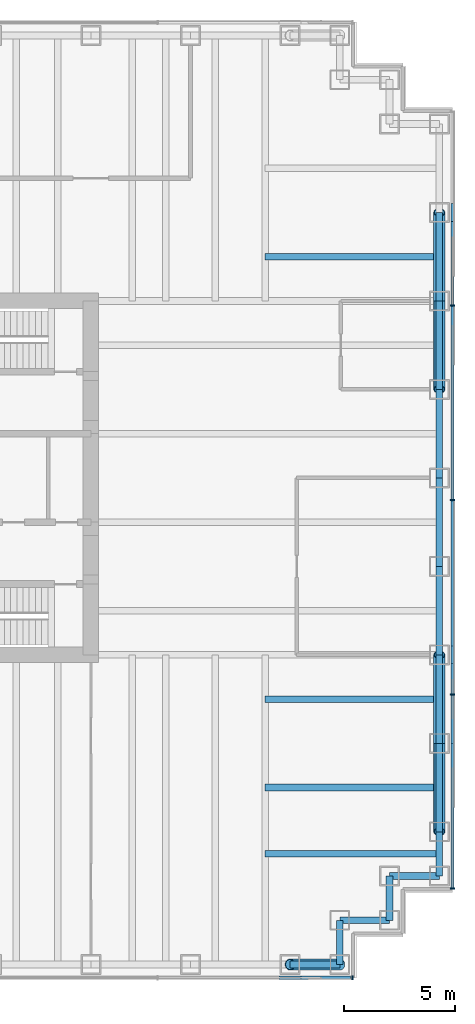
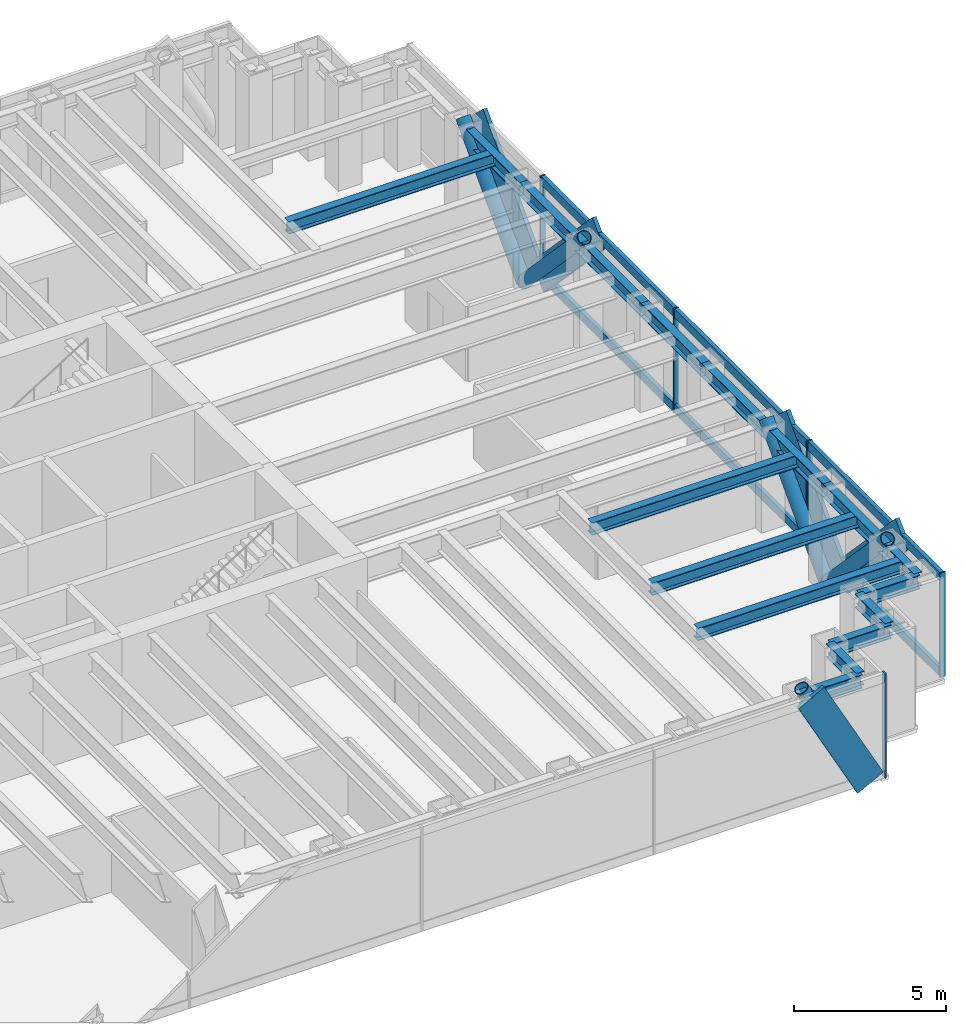
# One storey, part 8 of 17: 21 members, 17 beams, 2 elements without a shape of their own.
"""IFC4 building model written with IfcOpenShell, lengths in metres."""

from ifc_helpers import new_model, si_unit, direction, frame, origin, origin_2d, place, context, subcontext, project, spatial, rectangle, hollow_circle, i_section, extrude, material, material_profile, profile_set, type_object, element, aggregate, save


model = new_model("IFC4")

# Units and contexts
model_context = context("Model", 3, precision=1e-05, world=origin(), true_north=direction((0.0, 1.0)))
body_context = subcontext(model_context, "Body", "Model", "MODEL_VIEW")
ifc_project = project(units=[si_unit("LENGTHUNIT", "METRE"), si_unit("AREAUNIT", "SQUARE_METRE"), si_unit("VOLUMEUNIT", "CUBIC_METRE"), si_unit("PLANEANGLEUNIT", "RADIAN"), si_unit("MASSUNIT", "GRAM", prefix="KILO")], contexts=[model_context])

# Site, building, storey
site_placement = place(None, origin())
site = spatial("IfcSite", under=ifc_project, at=site_placement, CompositionType="ELEMENT")
building_placement = place(site_placement, origin())
building = spatial("IfcBuilding", under=site, at=building_placement, Name="Rheinbord Bourse Tower", CompositionType="ELEMENT")
storey_placement = place(building_placement, frame((0.0, 0.0, 304.699951171875)))
storey = spatial("IfcBuildingStorey", under=building, at=storey_placement, Name="L69", CompositionType="ELEMENT", Elevation=304.699951171875)

# Curtain wall, member
ifc_material_1 = material(Name="Dark glass and black aluminium", Category="aluminium")
curtain_wall_type = type_object("IfcCurtainWallType", Name="CW3 DARK GLASS CURTAIN WALL", PredefinedType="USERDEFINED", material=ifc_material_1)
curtain_wall_1_placement = place(storey_placement, origin())
curtain_wall_1 = element("IfcCurtainWall", 1, at=curtain_wall_1_placement, inside=storey, type_object=curtain_wall_type, Name="Curtain wall CW3 S L69", ObjectType="UNITISED CURTAIN WALL", PredefinedType="USERDEFINED")
ifc_material_2 = material(Name="Black anodised aluminium", Category="aluminium")
ifc_material_profile_1 = material_profile(ifc_material_2, rectangle(XDim=0.14990234375, YDim=1.10791015625, at=origin_2d()), Name="CW3 DIAGONAL MULLION 1108x150")
ifc_profile_set_1 = profile_set([ifc_material_profile_1], Name="Black anodised aluminium")
member_type_1 = type_object("IfcMemberType", Name="CW3 BLACK DIAGONAL MULLION", PredefinedType="USERDEFINED", material=ifc_profile_set_1)
member_1_placement = place(storey_placement, frame((65.25, 1.39990234375, 0.0), z_axis=(-0.472225678258, 0.0, 0.881477684796), x_axis=(0.0, -1.0, 0.0)))
member_1 = element("IfcMember", 2, at=member_1_placement, type_object=member_type_1, Name="CW3 diagonal mullion a", ObjectType="DIAGONAL MULLION", PredefinedType="USERDEFINED", context=body_context, shape_type="SweptSolid", body=[
    extrude(rectangle(XDim=0.14990234375, YDim=1.10791015625, at=origin_2d()), origin(), (0.0, 0.0, 1.0), 4.7646484375),
])

# Curtain wall, members
curtain_wall_2_placement = place(storey_placement, origin())
curtain_wall_2 = element("IfcCurtainWall", 3, at=curtain_wall_2_placement, inside=storey, type_object=curtain_wall_type, Name="Curtain wall CW3 E L69", ObjectType="UNITISED CURTAIN WALL", PredefinedType="USERDEFINED")
member_2_placement = place(storey_placement, frame((70.35009765625, 12.0, 0.0), z_axis=(0.0, -0.689659376744, 0.724133926887), x_axis=(1.0, 0.0, 0.0)))
member_2 = element("IfcMember", 4, at=member_2_placement, type_object=member_type_1, Name="CW3 diagonal mullion a", ObjectType="DIAGONAL MULLION", PredefinedType="USERDEFINED", context=body_context, shape_type="SweptSolid", body=[
    extrude(rectangle(XDim=0.14990234375, YDim=1.10791015625, at=origin_2d()), origin(), (0.0, 0.0, 1.0), 5.800048828125),
])
member_3_placement = place(storey_placement, frame((70.35009765625, 32.0, 0.0), z_axis=(0.0, 0.689659376744, 0.724133926887), x_axis=(-1.0, 0.0, 0.0)))
member_3 = element("IfcMember", 5, at=member_3_placement, type_object=member_type_1, Name="CW3 diagonal mullion b", ObjectType="DIAGONAL MULLION", PredefinedType="USERDEFINED", context=body_context, shape_type="SweptSolid", body=[
    extrude(rectangle(XDim=0.14990234375, YDim=1.10791015625, at=origin_2d()), origin(), (0.0, 0.0, 1.0), 5.800048828125),
])
member_4_placement = place(storey_placement, frame((70.35009765625, 12.0, 0.0), z_axis=(0.0, 0.689659376744, 0.724133926887), x_axis=(-1.0, 0.0, 0.0)))
member_4 = element("IfcMember", 6, at=member_4_placement, type_object=member_type_1, Name="CW3 diagonal mullion c", ObjectType="DIAGONAL MULLION", PredefinedType="USERDEFINED", context=body_context, shape_type="SweptSolid", body=[
    extrude(rectangle(XDim=0.14990234375, YDim=1.10791015625, at=origin_2d()), origin(), (0.0, 0.0, 1.0), 5.800048828125),
])
member_5_placement = place(storey_placement, frame((70.35009765625, 32.0, 0.0), z_axis=(0.0, -0.689659376744, 0.724133926887), x_axis=(1.0, 0.0, 0.0)))
member_5 = element("IfcMember", 7, at=member_5_placement, type_object=member_type_1, Name="CW3 diagonal mullion d", ObjectType="DIAGONAL MULLION", PredefinedType="USERDEFINED", context=body_context, shape_type="SweptSolid", body=[
    extrude(rectangle(XDim=0.14990234375, YDim=1.10791015625, at=origin_2d()), origin(), (0.0, 0.0, 1.0), 5.800048828125),
])

# Member
ifc_material_3 = material(Name="Black anodised aluminium", Category="aluminium")
ifc_material_profile_2 = material_profile(ifc_material_3, rectangle(XDim=0.199951171875, YDim=0.06494140625, at=origin_2d()), Name="CW3 MULLION 65x200")
ifc_profile_set_2 = profile_set([ifc_material_profile_2], Name="Black anodised aluminium")
member_type_2 = type_object("IfcMemberType", Name="CW3 BLACK MULLION", PredefinedType="MULLION", material=ifc_profile_set_2)
member_6_placement = place(storey_placement, frame((65.8173828125, 1.39990234375, 0.0), z_axis=(0.0, 0.0, 1.0), x_axis=(0.0, 1.0, 0.0)))
member_6 = element("IfcMember", 8, at=member_6_placement, type_object=member_type_2, Name="CW3 mullion 8", PredefinedType="MULLION", context=body_context, shape_type="SweptSolid", body=[
    extrude(rectangle(XDim=0.199951171875, YDim=0.06494140625, at=origin_2d()), origin(), (0.0, 0.0, 1.0), 4.199951171875),
])

aggregate(curtain_wall_1, [member_6, member_1])

member_7_placement = place(storey_placement, frame((70.35009765625, 5.4326171875, 0.0), z_axis=(0.0, 0.0, 1.0), x_axis=(-1.0, 0.0, 0.0)))
member_7 = element("IfcMember", 9, at=member_7_placement, type_object=member_type_2, Name="CW3 mullion 1", PredefinedType="MULLION", context=body_context, shape_type="SweptSolid", body=[
    extrude(rectangle(XDim=0.199951171875, YDim=0.06494140625, at=origin_2d()), origin(), (0.0, 0.0, 1.0), 4.199951171875),
])

member_8_placement = place(storey_placement, frame((70.35009765625, 14.199951171875, 0.0), z_axis=(0.0, 0.0, 1.0), x_axis=(-1.0, 0.0, 0.0)))
member_8 = element("IfcMember", 10, at=member_8_placement, type_object=member_type_2, Name="CW3 mullion 2", PredefinedType="MULLION", context=body_context, shape_type="SweptSolid", body=[
    extrude(rectangle(XDim=0.199951171875, YDim=0.06494140625, at=origin_2d()), origin(), (0.0, 0.0, 1.0), 4.199951171875),
])

member_9_placement = place(storey_placement, frame((70.35009765625, 23.0, 0.0), z_axis=(0.0, 0.0, 1.0), x_axis=(-1.0, 0.0, 0.0)))
member_9 = element("IfcMember", 11, at=member_9_placement, type_object=member_type_2, Name="CW3 mullion 3", PredefinedType="MULLION", context=body_context, shape_type="SweptSolid", body=[
    extrude(rectangle(XDim=0.199951171875, YDim=0.06494140625, at=origin_2d()), origin(), (0.0, 0.0, 1.0), 4.199951171875),
])

member_10_placement = place(storey_placement, frame((70.35009765625, 31.800048828125, 0.0), z_axis=(0.0, 0.0, 1.0), x_axis=(-1.0, 0.0, 0.0)))
member_10 = element("IfcMember", 12, at=member_10_placement, type_object=member_type_2, Name="CW3 mullion 4", PredefinedType="MULLION", context=body_context, shape_type="SweptSolid", body=[
    extrude(rectangle(XDim=0.199951171875, YDim=0.06494140625, at=origin_2d()), origin(), (0.0, 0.0, 1.0), 4.199951171875),
])

ifc_material_4 = material(Name="Black anodised aluminium", Category="aluminium")
ifc_material_profile_3 = material_profile(ifc_material_4, rectangle(XDim=0.14990234375, YDim=0.35009765625, at=origin_2d()), Name="CW3 TRANSOM 350x150")
ifc_profile_set_3 = profile_set([ifc_material_profile_3], Name="Black anodised aluminium")
member_type_3 = type_object("IfcMemberType", Name="CW3 BLACK TRANSOM", PredefinedType="USERDEFINED", material=ifc_profile_set_3)
member_11_placement = place(storey_placement, frame((70.35009765625, 5.465087890625, 0.175048828125), z_axis=(0.0, 1.0, 0.0), x_axis=(-1.0, 0.0, 0.0)))
member_11 = element("IfcMember", 13, at=member_11_placement, type_object=member_type_3, Name="CW3 transom 1.1", ObjectType="TRANSOM", PredefinedType="USERDEFINED", context=body_context, shape_type="SweptSolid", body=[
    extrude(rectangle(XDim=0.14990234375, YDim=0.35009765625, at=origin_2d()), origin(), (0.0, 0.0, 1.0), 8.702392578125),
])

member_12_placement = place(storey_placement, frame((70.35009765625, 5.465087890625, 4.025146484375), z_axis=(0.0, 1.0, 0.0), x_axis=(-1.0, 0.0, 0.0)))
member_12 = element("IfcMember", 14, at=member_12_placement, type_object=member_type_3, Name="CW3 transom 1.2", ObjectType="TRANSOM", PredefinedType="USERDEFINED", context=body_context, shape_type="SweptSolid", body=[
    extrude(rectangle(XDim=0.14990234375, YDim=0.35009765625, at=origin_2d()), origin(), (0.0, 0.0, 1.0), 8.702392578125),
])

member_13_placement = place(storey_placement, frame((70.35009765625, 14.232421875, 0.175048828125), z_axis=(0.0, 1.0, 0.0), x_axis=(-1.0, 0.0, 0.0)))
member_13 = element("IfcMember", 15, at=member_13_placement, type_object=member_type_3, Name="CW3 transom 2.1", ObjectType="TRANSOM", PredefinedType="USERDEFINED", context=body_context, shape_type="SweptSolid", body=[
    extrude(rectangle(XDim=0.14990234375, YDim=0.35009765625, at=origin_2d()), origin(), (0.0, 0.0, 1.0), 8.735107421875),
])

member_14_placement = place(storey_placement, frame((70.35009765625, 14.232421875, 4.025146484375), z_axis=(0.0, 1.0, 0.0), x_axis=(-1.0, 0.0, 0.0)))
member_14 = element("IfcMember", 16, at=member_14_placement, type_object=member_type_3, Name="CW3 transom 2.2", ObjectType="TRANSOM", PredefinedType="USERDEFINED", context=body_context, shape_type="SweptSolid", body=[
    extrude(rectangle(XDim=0.14990234375, YDim=0.35009765625, at=origin_2d()), origin(), (0.0, 0.0, 1.0), 8.735107421875),
])

member_15_placement = place(storey_placement, frame((70.35009765625, 23.032470703125, 0.175048828125), z_axis=(0.0, 1.0, 0.0), x_axis=(-1.0, 0.0, 0.0)))
member_15 = element("IfcMember", 17, at=member_15_placement, type_object=member_type_3, Name="CW3 transom 3.1", ObjectType="TRANSOM", PredefinedType="USERDEFINED", context=body_context, shape_type="SweptSolid", body=[
    extrude(rectangle(XDim=0.14990234375, YDim=0.35009765625, at=origin_2d()), origin(), (0.0, 0.0, 1.0), 8.735107421875),
])

member_16_placement = place(storey_placement, frame((70.35009765625, 23.032470703125, 4.025146484375), z_axis=(0.0, 1.0, 0.0), x_axis=(-1.0, 0.0, 0.0)))
member_16 = element("IfcMember", 18, at=member_16_placement, type_object=member_type_3, Name="CW3 transom 3.2", ObjectType="TRANSOM", PredefinedType="USERDEFINED", context=body_context, shape_type="SweptSolid", body=[
    extrude(rectangle(XDim=0.14990234375, YDim=0.35009765625, at=origin_2d()), origin(), (0.0, 0.0, 1.0), 8.735107421875),
])

aggregate(curtain_wall_2, [member_7, member_8, member_9, member_10, member_11, member_12, member_13, member_14, member_15, member_16, member_2, member_3, member_4, member_5])

# Members
ifc_material_5 = material(Name="Steel S460", Category="steel")
ifc_material_profile_4 = material_profile(ifc_material_5, hollow_circle(Radius=0.25390625, WallThickness=0.030029296875, at=origin_2d()), Name="CHS 508x30")
ifc_profile_set_4 = profile_set([ifc_material_profile_4], Name="Steel S460")
member_type_4 = type_object("IfcMemberType", Name="MEGABRACE CHS 508x30", PredefinedType="BRACE", material=ifc_profile_set_4)
member_17_placement = place(storey_placement, frame((65.25, 2.0, 0.0), z_axis=(-0.472225678258, 0.0, 0.881477684796), x_axis=(0.0, -1.0, 0.0)))
element("IfcMember", 19, at=member_17_placement, inside=storey, type_object=member_type_4, Name="Megabrace S face line a L69", PredefinedType="BRACE", context=body_context, shape_type="SweptSolid", body=[
    extrude(hollow_circle(Radius=0.25390625, WallThickness=0.030029296875, at=origin_2d()), origin(), (0.0, 0.0, 1.0), 4.7646484375),
])
for number, where, z_axis, x_axis, name in (
    (20, (69.75, 12.0, 0.0), (0.0, -0.689659376744, 0.724133926887), (1.0, 0.0, 0.0), "Megabrace E face line a L69"),
    (21, (69.75, 32.0, 0.0), (0.0, 0.689659376744, 0.724133926887), (-1.0, 0.0, 0.0), "Megabrace E face line b L69"),
    (22, (69.75, 12.0, 0.0), (0.0, 0.689659376744, 0.724133926887), (-1.0, 0.0, 0.0), "Megabrace E face line c L69"),
    (23, (69.75, 32.0, 0.0), (0.0, -0.689659376744, 0.724133926887), (1.0, 0.0, 0.0), "Megabrace E face line d L69"),
):
    element("IfcMember", number, at=place(storey_placement, frame(where, z_axis=z_axis, x_axis=x_axis)), inside=storey, type_object=member_type_4, Name=name, PredefinedType="BRACE", context=body_context, shape_type="SweptSolid", body=[
        extrude(hollow_circle(Radius=0.25390625, WallThickness=0.030029296875, at=origin_2d()), origin(), (0.0, 0.0, 1.0), 5.800048828125),
    ])

# Beams
ifc_material_6 = material(Name="Steel S460", Category="steel")
ifc_material_profile_5 = material_profile(ifc_material_6, i_section(OverallWidth=0.300048828125, OverallDepth=0.550048828125, WebThickness=0.014892578125, FlangeThickness=0.029052734375, at=origin_2d()), Name="HEB 550")
ifc_profile_set_5 = profile_set([ifc_material_profile_5], Name="Steel S460")
beam_type_1 = type_object("IfcBeamType", Name="SPANDREL HEB 550", PredefinedType="SPANDREL", material=ifc_profile_set_5)
beam_1_placement = place(storey_placement, frame((63.0, 2.0, 3.76513671875), z_axis=(1.0, 0.0, 0.0), x_axis=(0.0, 1.0, 0.0)))
element("IfcBeam", 24, at=beam_1_placement, inside=storey, type_object=beam_type_1, Name="Spandrel S-63-SE-E under L70", PredefinedType="SPANDREL", context=body_context, shape_type="SweptSolid", body=[
    extrude(i_section(OverallWidth=0.300048828125, OverallDepth=0.550048828125, WebThickness=0.014892578125, FlangeThickness=0.029052734375, at=origin_2d()), origin(), (0.0, 0.0, 1.0), 2.25),
])
beam_2_placement = place(storey_placement, frame((65.25, 2.0, 3.76513671875), z_axis=(0.0, 1.0, 0.0), x_axis=(-1.0, 0.0, 0.0)))
element("IfcBeam", 25, at=beam_2_placement, inside=storey, type_object=beam_type_1, Name="Spandrel SE-E-SE-D under L70", PredefinedType="SPANDREL", context=body_context, shape_type="SweptSolid", body=[
    extrude(i_section(OverallWidth=0.300048828125, OverallDepth=0.550048828125, WebThickness=0.014892578125, FlangeThickness=0.029052734375, at=origin_2d()), origin(), (0.0, 0.0, 1.0), 2.0),
])
beam_3_placement = place(storey_placement, frame((65.25, 4.0, 3.76513671875), z_axis=(1.0, 0.0, 0.0), x_axis=(0.0, 1.0, 0.0)))
element("IfcBeam", 26, at=beam_3_placement, inside=storey, type_object=beam_type_1, Name="Spandrel SE-D-SE-C under L70", PredefinedType="SPANDREL", context=body_context, shape_type="SweptSolid", body=[
    extrude(i_section(OverallWidth=0.300048828125, OverallDepth=0.550048828125, WebThickness=0.014892578125, FlangeThickness=0.029052734375, at=origin_2d()), origin(), (0.0, 0.0, 1.0), 2.25),
])
beam_4_placement = place(storey_placement, frame((67.5, 4.0, 3.76513671875), z_axis=(0.0, 1.0, 0.0), x_axis=(-1.0, 0.0, 0.0)))
element("IfcBeam", 27, at=beam_4_placement, inside=storey, type_object=beam_type_1, Name="Spandrel SE-C-SE-B under L70", PredefinedType="SPANDREL", context=body_context, shape_type="SweptSolid", body=[
    extrude(i_section(OverallWidth=0.300048828125, OverallDepth=0.550048828125, WebThickness=0.014892578125, FlangeThickness=0.029052734375, at=origin_2d()), origin(), (0.0, 0.0, 1.0), 2.0),
])
beam_5_placement = place(storey_placement, frame((67.5, 6.0, 3.76513671875), z_axis=(1.0, 0.0, 0.0), x_axis=(0.0, 1.0, 0.0)))
element("IfcBeam", 28, at=beam_5_placement, inside=storey, type_object=beam_type_1, Name="Spandrel SE-B-SE-A under L70", PredefinedType="SPANDREL", context=body_context, shape_type="SweptSolid", body=[
    extrude(i_section(OverallWidth=0.300048828125, OverallDepth=0.550048828125, WebThickness=0.014892578125, FlangeThickness=0.029052734375, at=origin_2d()), origin(), (0.0, 0.0, 1.0), 2.25),
])
beam_6_placement = place(storey_placement, frame((69.75, 6.0, 3.76513671875), z_axis=(0.0, 1.0, 0.0), x_axis=(-1.0, 0.0, 0.0)))
element("IfcBeam", 29, at=beam_6_placement, inside=storey, type_object=beam_type_1, Name="Spandrel SE-A-E-8 under L70", PredefinedType="SPANDREL", context=body_context, shape_type="SweptSolid", body=[
    extrude(i_section(OverallWidth=0.300048828125, OverallDepth=0.550048828125, WebThickness=0.014892578125, FlangeThickness=0.029052734375, at=origin_2d()), origin(), (0.0, 0.0, 1.0), 2.0),
])
for number, where, z_axis, x_axis, name in (
    (30, (69.75, 8.0, 3.76513671875), (0.0, 1.0, 0.0), (-1.0, 0.0, 0.0), "Spandrel E-8-E-12 under L70"),
    (31, (69.75, 12.0, 3.76513671875), (0.0, 1.0, 0.0), (-1.0, 0.0, 0.0), "Spandrel E-12-E-16 under L70"),
    (32, (69.75, 16.0, 3.76513671875), (0.0, 1.0, 0.0), (-1.0, 0.0, 0.0), "Spandrel E-16-E-20 under L70"),
    (33, (69.75, 20.0, 3.76513671875), (0.0, 1.0, 0.0), (-1.0, 0.0, 0.0), "Spandrel E-20-E-24 under L70"),
    (34, (69.75, 24.0, 3.76513671875), (0.0, 1.0, 0.0), (-1.0, 0.0, 0.0), "Spandrel E-24-E-28 under L70"),
    (35, (69.75, 28.0, 3.76513671875), (0.0, 1.0, 0.0), (-1.0, 0.0, 0.0), "Spandrel E-28-E-32 under L70"),
    (36, (69.75, 32.0, 3.76513671875), (0.0, 1.0, 0.0), (-1.0, 0.0, 0.0), "Spandrel E-32-E-36 under L70"),
):
    element("IfcBeam", number, at=place(storey_placement, frame(where, z_axis=z_axis, x_axis=x_axis)), inside=storey, type_object=beam_type_1, Name=name, PredefinedType="SPANDREL", context=body_context, shape_type="SweptSolid", body=[
        extrude(i_section(OverallWidth=0.300048828125, OverallDepth=0.550048828125, WebThickness=0.014892578125, FlangeThickness=0.029052734375, at=origin_2d()), origin(), (0.0, 0.0, 1.0), 4.0),
    ])
ifc_material_7 = material(Name="Steel S460", Category="steel")
ifc_material_profile_6 = material_profile(ifc_material_7, i_section(OverallWidth=0.300048828125, OverallDepth=0.5, WebThickness=0.014404296875, FlangeThickness=0.028076171875, at=origin_2d()), Name="HEB 500")
ifc_profile_set_6 = profile_set([ifc_material_profile_6], Name="Steel S460")
beam_type_2 = type_object("IfcBeamType", Name="TIE BEAM HEB 500", PredefinedType="JOIST", material=ifc_profile_set_6)
for number, where, z_axis, x_axis, name in (
    (37, (61.875, 7.0, 3.7900390625), (1.0, 0.0, 0.0), (0.0, 1.0, 0.0), "Tie east 7 L70"),
    (38, (61.875, 10.0, 3.7900390625), (1.0, 0.0, 0.0), (0.0, 1.0, 0.0), "Tie east 10 L70"),
    (39, (61.875, 14.0, 3.7900390625), (1.0, 0.0, 0.0), (0.0, 1.0, 0.0), "Tie east 14 L70"),
    (40, (61.875, 34.0, 3.7900390625), (1.0, 0.0, 0.0), (0.0, 1.0, 0.0), "Tie east 34 L70"),
):
    element("IfcBeam", number, at=place(storey_placement, frame(where, z_axis=z_axis, x_axis=x_axis)), inside=storey, type_object=beam_type_2, Name=name, PredefinedType="JOIST", context=body_context, shape_type="SweptSolid", body=[
        extrude(i_section(OverallWidth=0.300048828125, OverallDepth=0.5, WebThickness=0.014404296875, FlangeThickness=0.028076171875, at=origin_2d()), origin(), (0.0, 0.0, 1.0), 7.875),
    ])

save(model, "model.ifc")
